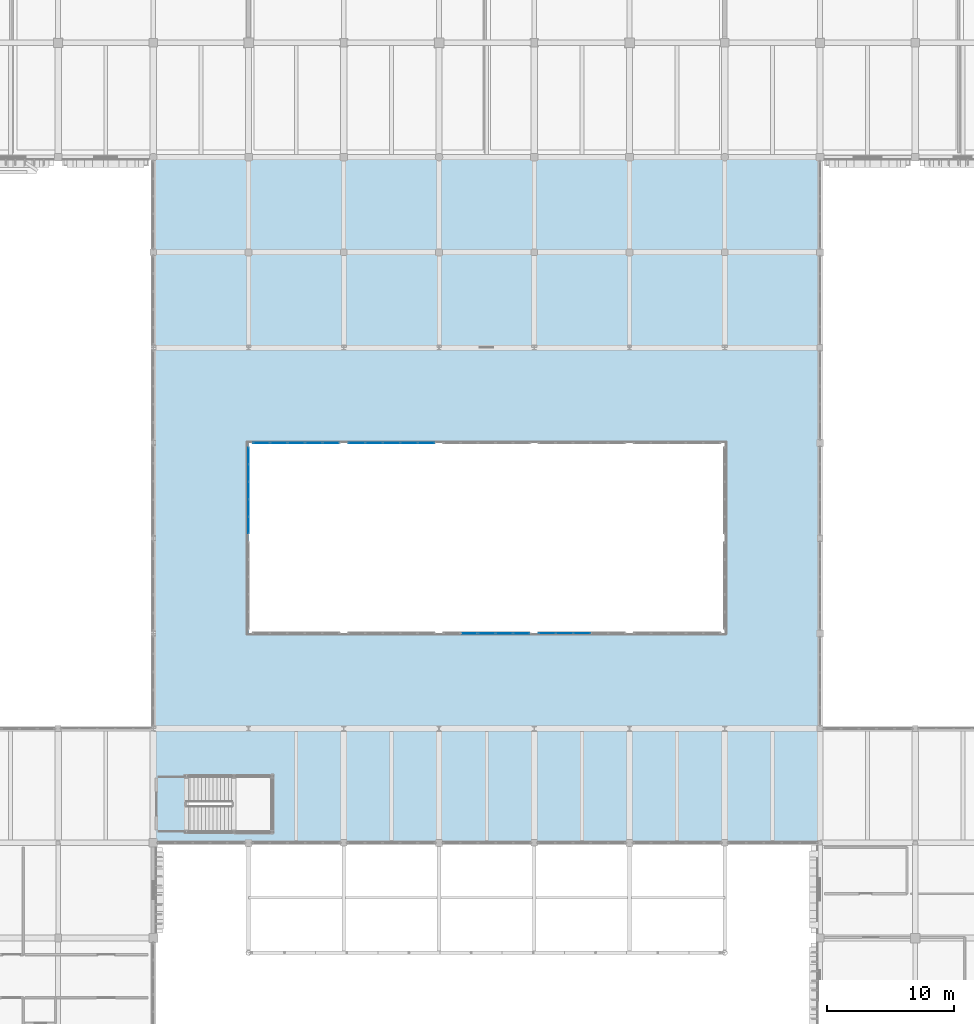
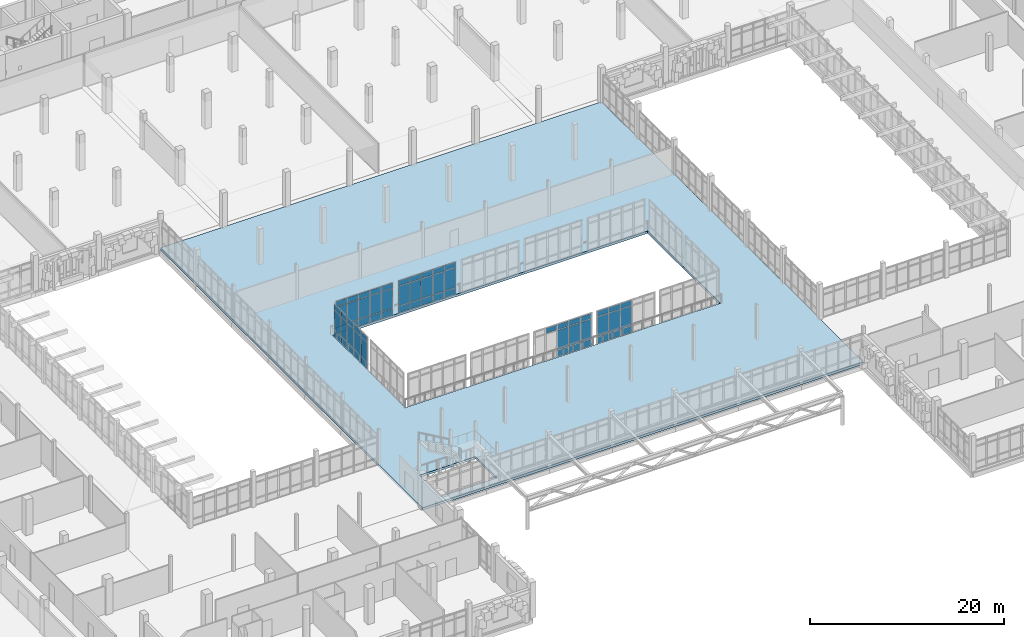
# One storey, part 78 of 128: 64 plates, 1 slab, 5 elements without a shape of their own.
"""IFC4 building model written with IfcOpenShell, lengths in metres."""

import ifcopenshell
import ifcopenshell.guid

model = None  # the IFC model being written
_history = None  # IfcOwnerHistory: only IFC2X3 demands one
_inside = {}  # id of a spatial element -> (the spatial element, [elements in it])
_under = {}  # id of a project, library or spatial element -> (it, [spatial elements below it])
_declared = {}  # id of a project -> (the project, [libraries it declares])
_typed = {}  # id of a type object -> (the type object, [elements of that type])
_made_of = {}  # id of a material, layer set ... -> (it, [elements and type objects made of it])


def new_model(schema):
    """Start an empty IFC model of exactly this schema.

    Asked for "IFC4X3", IfcOpenShell would pick the latest addendum, in which some entities
    have other attributes; the version numbers below select the first issue.
    IFC2X3 requires an IfcOwnerHistory on every rooted entity: one is made here for all.
    """
    global model, _history
    if schema == "IFC4X3":
        model = ifcopenshell.file(schema_version=(4, 3, 0, 0))
    else:
        model = ifcopenshell.file(schema=schema)
    _inside.clear()
    _under.clear()
    _declared.clear()
    _typed.clear()
    _made_of.clear()
    _history = None
    if model.schema == "IFC2X3":
        org = make("IfcOrganization", Name="unknown")
        user = make(
            "IfcPersonAndOrganization",
            ThePerson=make("IfcPerson", FamilyName="unknown"),
            TheOrganization=org,
        )
        app = make(
            "IfcApplication",
            ApplicationDeveloper=org,
            Version="unknown",
            ApplicationFullName="unknown",
            ApplicationIdentifier="unknown",
        )
        _history = make(
            "IfcOwnerHistory",
            OwningUser=user,
            OwningApplication=app,
            ChangeAction="ADDED",
            CreationDate=0,
        )
    return model


def make(cls, **values):
    """One entity of the class cls with the attributes given. An attribute that is None is left unset."""
    return model.create_entity(
        cls, **{name: value for name, value in values.items() if value is not None}
    )


def rooted(cls, **values):
    """An entity with a GlobalId (a new one), such as an element, a storey or a relation."""
    return make(cls, GlobalId=ifcopenshell.guid.new(), OwnerHistory=_history, **values)


def si_unit(unit_type, name, prefix=None):
    """IfcSIUnit, for example si_unit("LENGTHUNIT", "METRE", prefix="MILLI")."""
    return make("IfcSIUnit", UnitType=unit_type, Prefix=prefix, Name=name)


def assignment(units):
    """IfcUnitAssignment: the units of a project."""
    return None if units is None else make("IfcUnitAssignment", Units=units)


def point(xyz):
    """IfcCartesianPoint."""
    return None if xyz is None else make("IfcCartesianPoint", Coordinates=xyz)


def direction(xyz):
    """IfcDirection."""
    return None if xyz is None else make("IfcDirection", DirectionRatios=xyz)


def frame(location, z_axis=None, x_axis=None):
    """IfcAxis2Placement3D, a coordinate frame: its origin and axes. An axis left out is left unset."""
    return make(
        "IfcAxis2Placement3D",
        Location=point(location),
        Axis=direction(z_axis),
        RefDirection=direction(x_axis),
    )


def frame_2d(location, x_axis=None):
    """IfcAxis2Placement2D, a coordinate frame in the plane: its origin and x axis."""
    return make(
        "IfcAxis2Placement2D", Location=point(location), RefDirection=direction(x_axis)
    )


def origin():
    """The frame at (0, 0, 0) with its axes left unset."""
    return frame((0.0, 0.0, 0.0))


def origin_2d():
    """The frame at (0, 0) in the plane with its x axis left unset."""
    return frame_2d((0.0, 0.0))


def place(relative_to, where):
    """IfcLocalPlacement: puts the frame where relative to a parent placement (None: the world)."""
    return make(
        "IfcLocalPlacement", PlacementRelTo=relative_to, RelativePlacement=where
    )


def context(
    kind, dimensions, precision=None, world=None, true_north=None, identifier=None
):
    """IfcGeometricRepresentationContext, for example the 3D "Model" context."""
    return make(
        "IfcGeometricRepresentationContext",
        ContextIdentifier=identifier,
        ContextType=kind,
        CoordinateSpaceDimension=dimensions,
        Precision=precision,
        WorldCoordinateSystem=world,
        TrueNorth=true_north,
    )


def subcontext(parent, identifier, kind, view, scale=None):
    """IfcGeometricRepresentationSubContext, for example "Body" below "Model"."""
    return make(
        "IfcGeometricRepresentationSubContext",
        ContextIdentifier=identifier,
        ContextType=kind,
        ParentContext=parent,
        TargetScale=scale,
        TargetView=view,
    )


def project(units=None, contexts=None):
    """IfcProject with its units and contexts."""
    return rooted(
        "IfcProject",
        Name="project",
        RepresentationContexts=contexts,
        UnitsInContext=assignment(units),
    )


def spatial(cls, under=None, at=None, **own):
    """A site, building, storey or space (cls), placed at a placement, below another one or the project."""
    s = rooted(cls, ObjectPlacement=at, **own)
    if under is not None:
        _under.setdefault(under.id(), (under, []))[1].append(s)
    return s


def polyline(points):
    """IfcPolyline through the points."""
    return make("IfcPolyline", Points=[point(p) for p in points])


def profile(cls, at=None, kind="AREA", **sizes):
    """A parametric profile (cls). Its sizes go by their IFC names, for example OverallWidth=200.0."""
    return make(cls, ProfileType=kind, Position=at, **sizes)


def rectangle(**sizes):
    """IfcRectangleProfileDef."""
    return profile("IfcRectangleProfileDef", **sizes)


def outline(outer, holes=None, kind="AREA"):
    """IfcArbitraryClosedProfileDef: a profile drawn as a closed curve; with holes, ...WithVoids."""
    if holes is None:
        return make("IfcArbitraryClosedProfileDef", ProfileType=kind, OuterCurve=outer)
    return make(
        "IfcArbitraryProfileDefWithVoids",
        ProfileType=kind,
        OuterCurve=outer,
        InnerCurves=holes,
    )


def extrude(swept, where, along, depth):
    """IfcExtrudedAreaSolid: the profile swept, set in the frame where, extruded along a direction by depth."""
    return make(
        "IfcExtrudedAreaSolid",
        SweptArea=swept,
        Position=where,
        ExtrudedDirection=direction(along),
        Depth=depth,
    )


def shape(context_of_items, identifier, shape_type, items):
    """IfcShapeRepresentation: the items that make up one representation, for example the "Body"."""
    return make(
        "IfcShapeRepresentation",
        ContextOfItems=context_of_items,
        RepresentationIdentifier=identifier,
        RepresentationType=shape_type,
        Items=items,
    )


def material(Name=None, Category=None):
    """IfcMaterial."""
    return make("IfcMaterial", Name=Name, Category=Category)


def layer(
    of_material, thickness, ventilated=None, Name=None, Category=None, Priority=None
):
    """IfcMaterialLayer: one layer of a wall or slab, of a material (None: an air gap)."""
    return make(
        "IfcMaterialLayer",
        Material=of_material,
        LayerThickness=thickness,
        IsVentilated=ventilated,
        Name=Name,
        Category=Category,
        Priority=Priority,
    )


def layer_set(layers, Name=None):
    """IfcMaterialLayerSet."""
    return make("IfcMaterialLayerSet", MaterialLayers=layers, LayerSetName=Name)


def made_of(thing, what):
    """Note that an element or type object is made of a material, layer set ...; save() writes the relation."""
    if what is not None:
        _made_of.setdefault(what.id(), (what, []))[1].append(thing)
    return thing


def type_object(cls, material=None, **own):
    """A type object (cls), such as IfcWallType, which elements share."""
    return made_of(rooted(cls, **own), material)


def element(
    cls,
    number,
    at=None,
    inside=None,
    cuts=None,
    type_object=None,
    material=None,
    context=None,
    identifier="Body",
    shape_type=None,
    held_by="IfcProductDefinitionShape",
    body=None,
    shapes=None,
    **own,
):
    """One element of the class cls, such as IfcWall. Its Tag is "e" and its number.

    at: its placement. inside: the storey or other place that contains it. cuts: it is an
    opening in that element (IfcRelVoidsElement). A single representation is given by context,
    identifier, shape_type and body (its items); several are given by shapes. held_by: the class
    of the entity that holds the representations. save() writes the other relations.
    """
    e = rooted(cls, Tag="e%d" % number, ObjectPlacement=at, **own)
    if body is not None:
        shapes = [shape(context, identifier, shape_type, body)]
    if shapes is not None:
        e.Representation = make(held_by, Representations=shapes)
    if inside is not None:
        _inside.setdefault(inside.id(), (inside, []))[1].append(e)
    if cuts is not None:
        rooted(
            "IfcRelVoidsElement", RelatingBuildingElement=cuts, RelatedOpeningElement=e
        )
    if type_object is not None:
        _typed.setdefault(type_object.id(), (type_object, []))[1].append(e)
    return made_of(e, material)


def aggregate(whole, parts):
    """IfcRelAggregates: a whole, such as a stair, and the parts it consists of."""
    return rooted("IfcRelAggregates", RelatingObject=whole, RelatedObjects=parts)


def save(model, path):
    """Write the relations noted so far, then the file.

    IfcRelAggregates (storeys below a building ...), IfcRelContainedInSpatialStructure (elements
    in a storey), IfcRelDefinesByType, IfcRelAssociatesMaterial and IfcRelDeclares: one each for
    every whole, place, type object, material and project.
    """
    for whole, parts in _under.values():
        aggregate(whole, parts)
    for where, things in _inside.values():
        rooted(
            "IfcRelContainedInSpatialStructure",
            RelatedElements=things,
            RelatingStructure=where,
        )
    for kind, things in _typed.values():
        rooted("IfcRelDefinesByType", RelatedObjects=things, RelatingType=kind)
    for what, things in _made_of.values():
        rooted("IfcRelAssociatesMaterial", RelatedObjects=things, RelatingMaterial=what)
    for by, libraries in _declared.values():
        rooted("IfcRelDeclares", RelatingContext=by, RelatedDefinitions=libraries)
    model.write(path)


model = new_model("IFC4")

# Units and contexts
model_context = context("Model", 3, precision=1e-05, world=origin(), true_north=direction((0.0, 1.0)))
body_context = subcontext(model_context, "Body", "Model", "MODEL_VIEW")
ifc_project = project(units=[si_unit("LENGTHUNIT", "METRE"), si_unit("AREAUNIT", "SQUARE_METRE"), si_unit("VOLUMEUNIT", "CUBIC_METRE"), si_unit("PLANEANGLEUNIT", "RADIAN"), si_unit("MASSUNIT", "GRAM", prefix="KILO")], contexts=[model_context])

# Site, building, storey
site_placement = place(None, origin())
site = spatial("IfcSite", under=ifc_project, at=site_placement, CompositionType="ELEMENT")
building_placement = place(site_placement, origin())
building = spatial("IfcBuilding", under=site, at=building_placement, Name="Dalvernix Boulevard General Hospital", CompositionType="ELEMENT")
storey_placement = place(building_placement, frame((0.0, 0.0, 4.800048828125)))
storey = spatial("IfcBuildingStorey", under=building, at=storey_placement, Name="L01", CompositionType="ELEMENT", Elevation=4.800048828125)

# Curtain wall, plates
ifc_material_1 = material(Name="Thermally broken aluminium and solar-control glass curtain wall", Category="aluminium")
ifc_layer_1 = layer(ifc_material_1, 0.159912109375)
ifc_layer_set_1 = layer_set([ifc_layer_1], Name="Thermally broken aluminium and solar-control glass curtain wall (CW-CW-A-69x42)")
curtain_wall_type_1 = type_object("IfcCurtainWallType", Name="CW-CW-A-69x42", PredefinedType="USERDEFINED", material=ifc_layer_set_1)
curtain_wall_1_placement = place(storey_placement, origin())
curtain_wall_1 = element("IfcCurtainWall", 1, at=curtain_wall_1_placement, inside=storey, type_object=curtain_wall_type_1, Name="L01 curtain wall CW-A-69x42 10-7", ObjectType="GLAZED FACADE", PredefinedType="USERDEFINED")
ifc_material_2 = material(Name="Double-glazed solar-control low-emissivity glass", Category="glass")
ifc_layer_2 = layer(ifc_material_2, 0.02392578125)
ifc_layer_set_2 = layer_set([ifc_layer_2], Name="Double-glazed solar-control low-emissivity glass (PLT-CW-P1)")
plate_type_1 = type_object("IfcPlateType", Name="PLT-CW-P1", PredefinedType="CURTAIN_PANEL", material=ifc_layer_set_2)
plate_1_placement = place(storey_placement, frame((81.487060546875, 54.0, 0.059814453125), z_axis=(0.0, 0.0, 1.0), x_axis=(-1.0, 0.0, 0.0)))
plate_1 = element("IfcPlate", 2, at=plate_1_placement, type_object=plate_type_1, Name="CW-A-69x42 panel 1.1", PredefinedType="CURTAIN_PANEL", context=body_context, shape_type="SweptSolid", body=[
    extrude(rectangle(XDim=1.285888671875, YDim=0.02392578125, at=origin_2d()), origin(), (0.0, 0.0, 1.0), 0.81005859375),
])
plate_2_placement = place(storey_placement, frame((81.487060546875, 54.0, 0.93017578125), z_axis=(0.0, 0.0, 1.0), x_axis=(-1.0, 0.0, 0.0)))
plate_2 = element("IfcPlate", 3, at=plate_2_placement, type_object=plate_type_1, Name="CW-A-69x42 panel 1.2", PredefinedType="CURTAIN_PANEL", context=body_context, shape_type="SweptSolid", body=[
    extrude(rectangle(XDim=1.285888671875, YDim=0.02392578125, at=origin_2d()), origin(), (0.0, 0.0, 1.0), 2.469970703125),
])
plate_3_placement = place(storey_placement, frame((81.487060546875, 54.0, 3.4599609375), z_axis=(0.0, 0.0, 1.0), x_axis=(-1.0, 0.0, 0.0)))
plate_3 = element("IfcPlate", 4, at=plate_3_placement, type_object=plate_type_1, Name="CW-A-69x42 panel 1.3", PredefinedType="CURTAIN_PANEL", context=body_context, shape_type="SweptSolid", body=[
    extrude(rectangle(XDim=1.285888671875, YDim=0.02392578125, at=origin_2d()), origin(), (0.0, 0.0, 1.0), 0.659912109375),
])
plate_4_placement = place(storey_placement, frame((80.1259765625, 54.0, 0.059814453125), z_axis=(0.0, 0.0, 1.0), x_axis=(-1.0, 0.0, 0.0)))
plate_4 = element("IfcPlate", 5, at=plate_4_placement, type_object=plate_type_1, Name="CW-A-69x42 panel 2.1", PredefinedType="CURTAIN_PANEL", context=body_context, shape_type="SweptSolid", body=[
    extrude(rectangle(XDim=1.31591796875, YDim=0.02392578125, at=origin_2d()), origin(), (0.0, 0.0, 1.0), 0.81005859375),
])
plate_5_placement = place(storey_placement, frame((80.1259765625, 54.0, 0.93017578125), z_axis=(0.0, 0.0, 1.0), x_axis=(-1.0, 0.0, 0.0)))
plate_5 = element("IfcPlate", 6, at=plate_5_placement, type_object=plate_type_1, Name="CW-A-69x42 panel 2.2", PredefinedType="CURTAIN_PANEL", context=body_context, shape_type="SweptSolid", body=[
    extrude(rectangle(XDim=1.31591796875, YDim=0.02392578125, at=origin_2d()), origin(), (0.0, 0.0, 1.0), 2.469970703125),
])
plate_6_placement = place(storey_placement, frame((80.1259765625, 54.0, 3.4599609375), z_axis=(0.0, 0.0, 1.0), x_axis=(-1.0, 0.0, 0.0)))
plate_6 = element("IfcPlate", 7, at=plate_6_placement, type_object=plate_type_1, Name="CW-A-69x42 panel 2.3", PredefinedType="CURTAIN_PANEL", context=body_context, shape_type="SweptSolid", body=[
    extrude(rectangle(XDim=1.31591796875, YDim=0.02392578125, at=origin_2d()), origin(), (0.0, 0.0, 1.0), 0.659912109375),
])
plate_7_placement = place(storey_placement, frame((78.75, 54.0, 0.059814453125), z_axis=(0.0, 0.0, 1.0), x_axis=(-1.0, 0.0, 0.0)))
plate_7 = element("IfcPlate", 8, at=plate_7_placement, type_object=plate_type_1, Name="CW-A-69x42 panel 3.1", PredefinedType="CURTAIN_PANEL", context=body_context, shape_type="SweptSolid", body=[
    extrude(rectangle(XDim=1.31591796875, YDim=0.02392578125, at=origin_2d()), origin(), (0.0, 0.0, 1.0), 0.81005859375),
])
plate_8_placement = place(storey_placement, frame((78.75, 54.0, 0.93017578125), z_axis=(0.0, 0.0, 1.0), x_axis=(-1.0, 0.0, 0.0)))
plate_8 = element("IfcPlate", 9, at=plate_8_placement, type_object=plate_type_1, Name="CW-A-69x42 panel 3.2", PredefinedType="CURTAIN_PANEL", context=body_context, shape_type="SweptSolid", body=[
    extrude(rectangle(XDim=1.31591796875, YDim=0.02392578125, at=origin_2d()), origin(), (0.0, 0.0, 1.0), 2.469970703125),
])
plate_9_placement = place(storey_placement, frame((78.75, 54.0, 3.4599609375), z_axis=(0.0, 0.0, 1.0), x_axis=(-1.0, 0.0, 0.0)))
plate_9 = element("IfcPlate", 10, at=plate_9_placement, type_object=plate_type_1, Name="CW-A-69x42 panel 3.3", PredefinedType="CURTAIN_PANEL", context=body_context, shape_type="SweptSolid", body=[
    extrude(rectangle(XDim=1.31591796875, YDim=0.02392578125, at=origin_2d()), origin(), (0.0, 0.0, 1.0), 0.659912109375),
])
plate_10_placement = place(storey_placement, frame((77.3740234375, 54.0, 0.059814453125), z_axis=(0.0, 0.0, 1.0), x_axis=(-1.0, 0.0, 0.0)))
plate_10 = element("IfcPlate", 11, at=plate_10_placement, type_object=plate_type_1, Name="CW-A-69x42 panel 4.1", PredefinedType="CURTAIN_PANEL", context=body_context, shape_type="SweptSolid", body=[
    extrude(rectangle(XDim=1.31591796875, YDim=0.02392578125, at=origin_2d()), origin(), (0.0, 0.0, 1.0), 0.81005859375),
])
plate_11_placement = place(storey_placement, frame((77.3740234375, 54.0, 0.93017578125), z_axis=(0.0, 0.0, 1.0), x_axis=(-1.0, 0.0, 0.0)))
plate_11 = element("IfcPlate", 12, at=plate_11_placement, type_object=plate_type_1, Name="CW-A-69x42 panel 4.2", PredefinedType="CURTAIN_PANEL", context=body_context, shape_type="SweptSolid", body=[
    extrude(rectangle(XDim=1.31591796875, YDim=0.02392578125, at=origin_2d()), origin(), (0.0, 0.0, 1.0), 2.469970703125),
])
plate_12_placement = place(storey_placement, frame((77.3740234375, 54.0, 3.4599609375), z_axis=(0.0, 0.0, 1.0), x_axis=(-1.0, 0.0, 0.0)))
plate_12 = element("IfcPlate", 13, at=plate_12_placement, type_object=plate_type_1, Name="CW-A-69x42 panel 4.3", PredefinedType="CURTAIN_PANEL", context=body_context, shape_type="SweptSolid", body=[
    extrude(rectangle(XDim=1.31591796875, YDim=0.02392578125, at=origin_2d()), origin(), (0.0, 0.0, 1.0), 0.659912109375),
])
plate_13_placement = place(storey_placement, frame((76.012939453125, 54.0, 0.059814453125), z_axis=(0.0, 0.0, 1.0), x_axis=(-1.0, 0.0, 0.0)))
plate_13 = element("IfcPlate", 14, at=plate_13_placement, type_object=plate_type_1, Name="CW-A-69x42 panel 5.1", PredefinedType="CURTAIN_PANEL", context=body_context, shape_type="SweptSolid", body=[
    extrude(rectangle(XDim=1.285888671875, YDim=0.02392578125, at=origin_2d()), origin(), (0.0, 0.0, 1.0), 0.81005859375),
])
plate_14_placement = place(storey_placement, frame((76.012939453125, 54.0, 0.93017578125), z_axis=(0.0, 0.0, 1.0), x_axis=(-1.0, 0.0, 0.0)))
plate_14 = element("IfcPlate", 15, at=plate_14_placement, type_object=plate_type_1, Name="CW-A-69x42 panel 5.2", PredefinedType="CURTAIN_PANEL", context=body_context, shape_type="SweptSolid", body=[
    extrude(rectangle(XDim=1.285888671875, YDim=0.02392578125, at=origin_2d()), origin(), (0.0, 0.0, 1.0), 2.469970703125),
])
plate_15_placement = place(storey_placement, frame((76.012939453125, 54.0, 3.4599609375), z_axis=(0.0, 0.0, 1.0), x_axis=(-1.0, 0.0, 0.0)))
plate_15 = element("IfcPlate", 16, at=plate_15_placement, type_object=plate_type_1, Name="CW-A-69x42 panel 5.3", PredefinedType="CURTAIN_PANEL", context=body_context, shape_type="SweptSolid", body=[
    extrude(rectangle(XDim=1.285888671875, YDim=0.02392578125, at=origin_2d()), origin(), (0.0, 0.0, 1.0), 0.659912109375),
])
aggregate(curtain_wall_1, [plate_1, plate_2, plate_3, plate_4, plate_5, plate_6, plate_7, plate_8, plate_9, plate_10, plate_11, plate_12, plate_13, plate_14, plate_15])

curtain_wall_2_placement = place(storey_placement, origin())
curtain_wall_2 = element("IfcCurtainWall", 17, at=curtain_wall_2_placement, inside=storey, type_object=curtain_wall_type_1, Name="L01 curtain wall CW-A-69x42 12-5", ObjectType="GLAZED FACADE", PredefinedType="USERDEFINED")
plate_16_placement = place(storey_placement, frame((91.012939453125, 39.0, 0.059814453125), z_axis=(0.0, 0.0, 1.0), x_axis=(1.0, 0.0, 0.0)))
plate_16 = element("IfcPlate", 18, at=plate_16_placement, type_object=plate_type_1, Name="CW-A-69x42 panel 1.1", PredefinedType="CURTAIN_PANEL", context=body_context, shape_type="SweptSolid", body=[
    extrude(rectangle(XDim=1.285888671875, YDim=0.02392578125, at=origin_2d()), origin(), (0.0, 0.0, 1.0), 0.81005859375),
])
plate_17_placement = place(storey_placement, frame((91.012939453125, 39.0, 0.93017578125), z_axis=(0.0, 0.0, 1.0), x_axis=(1.0, 0.0, 0.0)))
plate_17 = element("IfcPlate", 19, at=plate_17_placement, type_object=plate_type_1, Name="CW-A-69x42 panel 1.2", PredefinedType="CURTAIN_PANEL", context=body_context, shape_type="SweptSolid", body=[
    extrude(rectangle(XDim=1.285888671875, YDim=0.02392578125, at=origin_2d()), origin(), (0.0, 0.0, 1.0), 2.469970703125),
])
plate_18_placement = place(storey_placement, frame((91.012939453125, 39.0, 3.4599609375), z_axis=(0.0, 0.0, 1.0), x_axis=(1.0, 0.0, 0.0)))
plate_18 = element("IfcPlate", 20, at=plate_18_placement, type_object=plate_type_1, Name="CW-A-69x42 panel 1.3", PredefinedType="CURTAIN_PANEL", context=body_context, shape_type="SweptSolid", body=[
    extrude(rectangle(XDim=1.285888671875, YDim=0.02392578125, at=origin_2d()), origin(), (0.0, 0.0, 1.0), 0.659912109375),
])
plate_19_placement = place(storey_placement, frame((92.3740234375, 39.0, 0.059814453125), z_axis=(0.0, 0.0, 1.0), x_axis=(1.0, 0.0, 0.0)))
plate_19 = element("IfcPlate", 21, at=plate_19_placement, type_object=plate_type_1, Name="CW-A-69x42 panel 2.1", PredefinedType="CURTAIN_PANEL", context=body_context, shape_type="SweptSolid", body=[
    extrude(rectangle(XDim=1.31591796875, YDim=0.02392578125, at=origin_2d()), origin(), (0.0, 0.0, 1.0), 0.81005859375),
])
plate_20_placement = place(storey_placement, frame((92.3740234375, 39.0, 0.93017578125), z_axis=(0.0, 0.0, 1.0), x_axis=(1.0, 0.0, 0.0)))
plate_20 = element("IfcPlate", 22, at=plate_20_placement, type_object=plate_type_1, Name="CW-A-69x42 panel 2.2", PredefinedType="CURTAIN_PANEL", context=body_context, shape_type="SweptSolid", body=[
    extrude(rectangle(XDim=1.31591796875, YDim=0.02392578125, at=origin_2d()), origin(), (0.0, 0.0, 1.0), 2.469970703125),
])
plate_21_placement = place(storey_placement, frame((92.3740234375, 39.0, 3.4599609375), z_axis=(0.0, 0.0, 1.0), x_axis=(1.0, 0.0, 0.0)))
plate_21 = element("IfcPlate", 23, at=plate_21_placement, type_object=plate_type_1, Name="CW-A-69x42 panel 2.3", PredefinedType="CURTAIN_PANEL", context=body_context, shape_type="SweptSolid", body=[
    extrude(rectangle(XDim=1.31591796875, YDim=0.02392578125, at=origin_2d()), origin(), (0.0, 0.0, 1.0), 0.659912109375),
])
plate_22_placement = place(storey_placement, frame((93.75, 39.0, 0.059814453125), z_axis=(0.0, 0.0, 1.0), x_axis=(1.0, 0.0, 0.0)))
plate_22 = element("IfcPlate", 24, at=plate_22_placement, type_object=plate_type_1, Name="CW-A-69x42 panel 3.1", PredefinedType="CURTAIN_PANEL", context=body_context, shape_type="SweptSolid", body=[
    extrude(rectangle(XDim=1.31591796875, YDim=0.02392578125, at=origin_2d()), origin(), (0.0, 0.0, 1.0), 0.81005859375),
])
plate_23_placement = place(storey_placement, frame((93.75, 39.0, 0.93017578125), z_axis=(0.0, 0.0, 1.0), x_axis=(1.0, 0.0, 0.0)))
plate_23 = element("IfcPlate", 25, at=plate_23_placement, type_object=plate_type_1, Name="CW-A-69x42 panel 3.2", PredefinedType="CURTAIN_PANEL", context=body_context, shape_type="SweptSolid", body=[
    extrude(rectangle(XDim=1.31591796875, YDim=0.02392578125, at=origin_2d()), origin(), (0.0, 0.0, 1.0), 2.469970703125),
])
plate_24_placement = place(storey_placement, frame((93.75, 39.0, 3.4599609375), z_axis=(0.0, 0.0, 1.0), x_axis=(1.0, 0.0, 0.0)))
plate_24 = element("IfcPlate", 26, at=plate_24_placement, type_object=plate_type_1, Name="CW-A-69x42 panel 3.3", PredefinedType="CURTAIN_PANEL", context=body_context, shape_type="SweptSolid", body=[
    extrude(rectangle(XDim=1.31591796875, YDim=0.02392578125, at=origin_2d()), origin(), (0.0, 0.0, 1.0), 0.659912109375),
])
aggregate(curtain_wall_2, [plate_16, plate_17, plate_18, plate_19, plate_20, plate_21, plate_22, plate_23, plate_24])

ifc_layer_3 = layer(ifc_material_1, 0.179931640625)
ifc_layer_set_3 = layer_set([ifc_layer_3], Name="Thermally broken aluminium and solar-control glass curtain wall (CW-CW-B-69x42)")
curtain_wall_type_2 = type_object("IfcCurtainWallType", Name="CW-CW-B-69x42", PredefinedType="USERDEFINED", material=ifc_layer_set_3)
curtain_wall_3_placement = place(storey_placement, origin())
curtain_wall_3 = element("IfcCurtainWall", 27, at=curtain_wall_3_placement, inside=storey, type_object=curtain_wall_type_2, Name="L01 curtain wall CW-B-69x42 9-6", ObjectType="GLAZED FACADE", PredefinedType="USERDEFINED")
ifc_layer_4 = layer(ifc_material_2, 0.028076171875)
ifc_layer_set_4 = layer_set([ifc_layer_4], Name="Double-glazed solar-control low-emissivity glass (PLT-CW-P2)")
plate_type_2 = type_object("IfcPlateType", Name="PLT-CW-P2", PredefinedType="CURTAIN_PANEL", material=ifc_layer_set_4)
plate_25_placement = place(storey_placement, frame((67.5, 52.98583984375, 0.06494140625), z_axis=(0.0, 0.0, 1.0), x_axis=(0.0, -1.0, 0.0)))
plate_25 = element("IfcPlate", 28, at=plate_25_placement, type_object=plate_type_2, Name="CW-B-69x42 panel 1.1", PredefinedType="CURTAIN_PANEL", context=body_context, shape_type="SweptSolid", body=[
    extrude(rectangle(XDim=1.278564453125, YDim=0.028076171875, at=origin_2d()), origin(), (0.0, 0.0, 1.0), 0.802490234375),
])
plate_26_placement = place(storey_placement, frame((67.5, 52.98583984375, 0.9326171875), z_axis=(0.0, 0.0, 1.0), x_axis=(0.0, -1.0, 0.0)))
plate_26 = element("IfcPlate", 29, at=plate_26_placement, type_object=plate_type_2, Name="CW-B-69x42 panel 1.2", PredefinedType="CURTAIN_PANEL", context=body_context, shape_type="SweptSolid", body=[
    extrude(rectangle(XDim=1.278564453125, YDim=0.028076171875, at=origin_2d()), origin(), (0.0, 0.0, 1.0), 2.465087890625),
])
plate_27_placement = place(storey_placement, frame((67.5, 52.98583984375, 3.46240234375), z_axis=(0.0, 0.0, 1.0), x_axis=(0.0, -1.0, 0.0)))
plate_27 = element("IfcPlate", 30, at=plate_27_placement, type_object=plate_type_2, Name="CW-B-69x42 panel 1.3", PredefinedType="CURTAIN_PANEL", context=body_context, shape_type="SweptSolid", body=[
    extrude(rectangle(XDim=1.278564453125, YDim=0.028076171875, at=origin_2d()), origin(), (0.0, 0.0, 1.0), 0.652587890625),
])
plate_28_placement = place(storey_placement, frame((67.5, 51.6259765625, 0.06494140625), z_axis=(0.0, 0.0, 1.0), x_axis=(0.0, -1.0, 0.0)))
plate_28 = element("IfcPlate", 31, at=plate_28_placement, type_object=plate_type_2, Name="CW-B-69x42 panel 2.1", PredefinedType="CURTAIN_PANEL", context=body_context, shape_type="SweptSolid", body=[
    extrude(rectangle(XDim=1.31103515625, YDim=0.028076171875, at=origin_2d()), origin(), (0.0, 0.0, 1.0), 0.802490234375),
])
plate_29_placement = place(storey_placement, frame((67.5, 51.6259765625, 0.9326171875), z_axis=(0.0, 0.0, 1.0), x_axis=(0.0, -1.0, 0.0)))
plate_29 = element("IfcPlate", 32, at=plate_29_placement, type_object=plate_type_2, Name="CW-B-69x42 panel 2.2", PredefinedType="CURTAIN_PANEL", context=body_context, shape_type="SweptSolid", body=[
    extrude(rectangle(XDim=1.31103515625, YDim=0.028076171875, at=origin_2d()), origin(), (0.0, 0.0, 1.0), 2.465087890625),
])
plate_30_placement = place(storey_placement, frame((67.5, 51.6259765625, 3.46240234375), z_axis=(0.0, 0.0, 1.0), x_axis=(0.0, -1.0, 0.0)))
plate_30 = element("IfcPlate", 33, at=plate_30_placement, type_object=plate_type_2, Name="CW-B-69x42 panel 2.3", PredefinedType="CURTAIN_PANEL", context=body_context, shape_type="SweptSolid", body=[
    extrude(rectangle(XDim=1.31103515625, YDim=0.028076171875, at=origin_2d()), origin(), (0.0, 0.0, 1.0), 0.652587890625),
])
plate_31_placement = place(storey_placement, frame((67.5, 50.25, 0.06494140625), z_axis=(0.0, 0.0, 1.0), x_axis=(0.0, -1.0, 0.0)))
plate_31 = element("IfcPlate", 34, at=plate_31_placement, type_object=plate_type_2, Name="CW-B-69x42 panel 3.1", PredefinedType="CURTAIN_PANEL", context=body_context, shape_type="SweptSolid", body=[
    extrude(rectangle(XDim=1.31103515625, YDim=0.028076171875, at=origin_2d()), origin(), (0.0, 0.0, 1.0), 0.802490234375),
])
plate_32_placement = place(storey_placement, frame((67.5, 50.25, 0.9326171875), z_axis=(0.0, 0.0, 1.0), x_axis=(0.0, -1.0, 0.0)))
plate_32 = element("IfcPlate", 35, at=plate_32_placement, type_object=plate_type_2, Name="CW-B-69x42 panel 3.2", PredefinedType="CURTAIN_PANEL", context=body_context, shape_type="SweptSolid", body=[
    extrude(rectangle(XDim=1.31103515625, YDim=0.028076171875, at=origin_2d()), origin(), (0.0, 0.0, 1.0), 2.465087890625),
])
plate_33_placement = place(storey_placement, frame((67.5, 50.25, 3.46240234375), z_axis=(0.0, 0.0, 1.0), x_axis=(0.0, -1.0, 0.0)))
plate_33 = element("IfcPlate", 36, at=plate_33_placement, type_object=plate_type_2, Name="CW-B-69x42 panel 3.3", PredefinedType="CURTAIN_PANEL", context=body_context, shape_type="SweptSolid", body=[
    extrude(rectangle(XDim=1.31103515625, YDim=0.028076171875, at=origin_2d()), origin(), (0.0, 0.0, 1.0), 0.652587890625),
])
plate_34_placement = place(storey_placement, frame((67.5, 48.8740234375, 0.06494140625), z_axis=(0.0, 0.0, 1.0), x_axis=(0.0, -1.0, 0.0)))
plate_34 = element("IfcPlate", 37, at=plate_34_placement, type_object=plate_type_2, Name="CW-B-69x42 panel 4.1", PredefinedType="CURTAIN_PANEL", context=body_context, shape_type="SweptSolid", body=[
    extrude(rectangle(XDim=1.31103515625, YDim=0.028076171875, at=origin_2d()), origin(), (0.0, 0.0, 1.0), 0.802490234375),
])
plate_35_placement = place(storey_placement, frame((67.5, 48.8740234375, 0.9326171875), z_axis=(0.0, 0.0, 1.0), x_axis=(0.0, -1.0, 0.0)))
plate_35 = element("IfcPlate", 38, at=plate_35_placement, type_object=plate_type_2, Name="CW-B-69x42 panel 4.2", PredefinedType="CURTAIN_PANEL", context=body_context, shape_type="SweptSolid", body=[
    extrude(rectangle(XDim=1.31103515625, YDim=0.028076171875, at=origin_2d()), origin(), (0.0, 0.0, 1.0), 2.465087890625),
])
plate_36_placement = place(storey_placement, frame((67.5, 48.8740234375, 3.46240234375), z_axis=(0.0, 0.0, 1.0), x_axis=(0.0, -1.0, 0.0)))
plate_36 = element("IfcPlate", 39, at=plate_36_placement, type_object=plate_type_2, Name="CW-B-69x42 panel 4.3", PredefinedType="CURTAIN_PANEL", context=body_context, shape_type="SweptSolid", body=[
    extrude(rectangle(XDim=1.31103515625, YDim=0.028076171875, at=origin_2d()), origin(), (0.0, 0.0, 1.0), 0.652587890625),
])
plate_37_placement = place(storey_placement, frame((67.5, 47.51416015625, 0.06494140625), z_axis=(0.0, 0.0, 1.0), x_axis=(0.0, -1.0, 0.0)))
plate_37 = element("IfcPlate", 40, at=plate_37_placement, type_object=plate_type_2, Name="CW-B-69x42 panel 5.1", PredefinedType="CURTAIN_PANEL", context=body_context, shape_type="SweptSolid", body=[
    extrude(rectangle(XDim=1.278564453125, YDim=0.028076171875, at=origin_2d()), origin(), (0.0, 0.0, 1.0), 0.802490234375),
])
plate_38_placement = place(storey_placement, frame((67.5, 47.51416015625, 0.9326171875), z_axis=(0.0, 0.0, 1.0), x_axis=(0.0, -1.0, 0.0)))
plate_38 = element("IfcPlate", 41, at=plate_38_placement, type_object=plate_type_2, Name="CW-B-69x42 panel 5.2", PredefinedType="CURTAIN_PANEL", context=body_context, shape_type="SweptSolid", body=[
    extrude(rectangle(XDim=1.278564453125, YDim=0.028076171875, at=origin_2d()), origin(), (0.0, 0.0, 1.0), 2.465087890625),
])
plate_39_placement = place(storey_placement, frame((67.5, 47.51416015625, 3.46240234375), z_axis=(0.0, 0.0, 1.0), x_axis=(0.0, -1.0, 0.0)))
plate_39 = element("IfcPlate", 42, at=plate_39_placement, type_object=plate_type_2, Name="CW-B-69x42 panel 5.3", PredefinedType="CURTAIN_PANEL", context=body_context, shape_type="SweptSolid", body=[
    extrude(rectangle(XDim=1.278564453125, YDim=0.028076171875, at=origin_2d()), origin(), (0.0, 0.0, 1.0), 0.652587890625),
])
aggregate(curtain_wall_3, [plate_25, plate_26, plate_27, plate_28, plate_29, plate_30, plate_31, plate_32, plate_33, plate_34, plate_35, plate_36, plate_37, plate_38, plate_39])

ifc_layer_5 = layer(ifc_material_1, 0.199951171875)
ifc_layer_set_5 = layer_set([ifc_layer_5], Name="Thermally broken aluminium and solar-control glass curtain wall (CW-CW-C-69x42)")
curtain_wall_type_3 = type_object("IfcCurtainWallType", Name="CW-CW-C-69x42", PredefinedType="USERDEFINED", material=ifc_layer_set_5)
curtain_wall_4_placement = place(storey_placement, origin())
curtain_wall_4 = element("IfcCurtainWall", 43, at=curtain_wall_4_placement, inside=storey, type_object=curtain_wall_type_3, Name="L01 curtain wall CW-C-69x42 9-7", ObjectType="GLAZED FACADE", PredefinedType="USERDEFINED")
ifc_layer_6 = layer(ifc_material_2, 0.035888671875)
ifc_layer_set_6 = layer_set([ifc_layer_6], Name="Double-glazed solar-control low-emissivity glass (PLT-CW-P3)")
plate_type_3 = type_object("IfcPlateType", Name="PLT-CW-P3", PredefinedType="CURTAIN_PANEL", material=ifc_layer_set_6)
plate_40_placement = place(storey_placement, frame((73.984619140625, 54.0, 0.070068359375), z_axis=(0.0, 0.0, 1.0), x_axis=(-1.0, 0.0, 0.0)))
plate_40 = element("IfcPlate", 44, at=plate_40_placement, type_object=plate_type_3, Name="CW-C-69x42 panel 1.1", PredefinedType="CURTAIN_PANEL", context=body_context, shape_type="SweptSolid", body=[
    extrude(rectangle(XDim=1.27099609375, YDim=0.035888671875, at=origin_2d()), origin(), (0.0, 0.0, 1.0), 0.794921875),
])
plate_41_placement = place(storey_placement, frame((73.984619140625, 54.0, 0.93505859375), z_axis=(0.0, 0.0, 1.0), x_axis=(-1.0, 0.0, 0.0)))
plate_41 = element("IfcPlate", 45, at=plate_41_placement, type_object=plate_type_3, Name="CW-C-69x42 panel 1.2", PredefinedType="CURTAIN_PANEL", context=body_context, shape_type="SweptSolid", body=[
    extrude(rectangle(XDim=1.27099609375, YDim=0.035888671875, at=origin_2d()), origin(), (0.0, 0.0, 1.0), 2.4599609375),
])
plate_42_placement = place(storey_placement, frame((73.984619140625, 54.0, 3.46484375), z_axis=(0.0, 0.0, 1.0), x_axis=(-1.0, 0.0, 0.0)))
plate_42 = element("IfcPlate", 46, at=plate_42_placement, type_object=plate_type_3, Name="CW-C-69x42 panel 1.3", PredefinedType="CURTAIN_PANEL", context=body_context, shape_type="SweptSolid", body=[
    extrude(rectangle(XDim=1.27099609375, YDim=0.035888671875, at=origin_2d()), origin(), (0.0, 0.0, 1.0), 0.64501953125),
])
plate_43_placement = place(storey_placement, frame((72.6259765625, 54.0, 0.070068359375), z_axis=(0.0, 0.0, 1.0), x_axis=(-1.0, 0.0, 0.0)))
plate_43 = element("IfcPlate", 47, at=plate_43_placement, type_object=plate_type_3, Name="CW-C-69x42 panel 2.1", PredefinedType="CURTAIN_PANEL", context=body_context, shape_type="SweptSolid", body=[
    extrude(rectangle(XDim=1.305908203125, YDim=0.035888671875, at=origin_2d()), origin(), (0.0, 0.0, 1.0), 0.794921875),
])
plate_44_placement = place(storey_placement, frame((72.6259765625, 54.0, 0.93505859375), z_axis=(0.0, 0.0, 1.0), x_axis=(-1.0, 0.0, 0.0)))
plate_44 = element("IfcPlate", 48, at=plate_44_placement, type_object=plate_type_3, Name="CW-C-69x42 panel 2.2", PredefinedType="CURTAIN_PANEL", context=body_context, shape_type="SweptSolid", body=[
    extrude(rectangle(XDim=1.305908203125, YDim=0.035888671875, at=origin_2d()), origin(), (0.0, 0.0, 1.0), 2.4599609375),
])
plate_45_placement = place(storey_placement, frame((72.6259765625, 54.0, 3.46484375), z_axis=(0.0, 0.0, 1.0), x_axis=(-1.0, 0.0, 0.0)))
plate_45 = element("IfcPlate", 49, at=plate_45_placement, type_object=plate_type_3, Name="CW-C-69x42 panel 2.3", PredefinedType="CURTAIN_PANEL", context=body_context, shape_type="SweptSolid", body=[
    extrude(rectangle(XDim=1.305908203125, YDim=0.035888671875, at=origin_2d()), origin(), (0.0, 0.0, 1.0), 0.64501953125),
])
plate_46_placement = place(storey_placement, frame((71.25, 54.0, 0.070068359375), z_axis=(0.0, 0.0, 1.0), x_axis=(-1.0, 0.0, 0.0)))
plate_46 = element("IfcPlate", 50, at=plate_46_placement, type_object=plate_type_3, Name="CW-C-69x42 panel 3.1", PredefinedType="CURTAIN_PANEL", context=body_context, shape_type="SweptSolid", body=[
    extrude(rectangle(XDim=1.305908203125, YDim=0.035888671875, at=origin_2d()), origin(), (0.0, 0.0, 1.0), 0.794921875),
])
plate_47_placement = place(storey_placement, frame((71.25, 54.0, 0.93505859375), z_axis=(0.0, 0.0, 1.0), x_axis=(-1.0, 0.0, 0.0)))
plate_47 = element("IfcPlate", 51, at=plate_47_placement, type_object=plate_type_3, Name="CW-C-69x42 panel 3.2", PredefinedType="CURTAIN_PANEL", context=body_context, shape_type="SweptSolid", body=[
    extrude(rectangle(XDim=1.305908203125, YDim=0.035888671875, at=origin_2d()), origin(), (0.0, 0.0, 1.0), 2.4599609375),
])
plate_48_placement = place(storey_placement, frame((71.25, 54.0, 3.46484375), z_axis=(0.0, 0.0, 1.0), x_axis=(-1.0, 0.0, 0.0)))
plate_48 = element("IfcPlate", 52, at=plate_48_placement, type_object=plate_type_3, Name="CW-C-69x42 panel 3.3", PredefinedType="CURTAIN_PANEL", context=body_context, shape_type="SweptSolid", body=[
    extrude(rectangle(XDim=1.305908203125, YDim=0.035888671875, at=origin_2d()), origin(), (0.0, 0.0, 1.0), 0.64501953125),
])
plate_49_placement = place(storey_placement, frame((69.8740234375, 54.0, 0.070068359375), z_axis=(0.0, 0.0, 1.0), x_axis=(-1.0, 0.0, 0.0)))
plate_49 = element("IfcPlate", 53, at=plate_49_placement, type_object=plate_type_3, Name="CW-C-69x42 panel 4.1", PredefinedType="CURTAIN_PANEL", context=body_context, shape_type="SweptSolid", body=[
    extrude(rectangle(XDim=1.305908203125, YDim=0.035888671875, at=origin_2d()), origin(), (0.0, 0.0, 1.0), 0.794921875),
])
plate_50_placement = place(storey_placement, frame((69.8740234375, 54.0, 0.93505859375), z_axis=(0.0, 0.0, 1.0), x_axis=(-1.0, 0.0, 0.0)))
plate_50 = element("IfcPlate", 54, at=plate_50_placement, type_object=plate_type_3, Name="CW-C-69x42 panel 4.2", PredefinedType="CURTAIN_PANEL", context=body_context, shape_type="SweptSolid", body=[
    extrude(rectangle(XDim=1.305908203125, YDim=0.035888671875, at=origin_2d()), origin(), (0.0, 0.0, 1.0), 2.4599609375),
])
plate_51_placement = place(storey_placement, frame((69.8740234375, 54.0, 3.46484375), z_axis=(0.0, 0.0, 1.0), x_axis=(-1.0, 0.0, 0.0)))
plate_51 = element("IfcPlate", 55, at=plate_51_placement, type_object=plate_type_3, Name="CW-C-69x42 panel 4.3", PredefinedType="CURTAIN_PANEL", context=body_context, shape_type="SweptSolid", body=[
    extrude(rectangle(XDim=1.305908203125, YDim=0.035888671875, at=origin_2d()), origin(), (0.0, 0.0, 1.0), 0.64501953125),
])
plate_52_placement = place(storey_placement, frame((68.515380859375, 54.0, 0.070068359375), z_axis=(0.0, 0.0, 1.0), x_axis=(-1.0, 0.0, 0.0)))
plate_52 = element("IfcPlate", 56, at=plate_52_placement, type_object=plate_type_3, Name="CW-C-69x42 panel 5.1", PredefinedType="CURTAIN_PANEL", context=body_context, shape_type="SweptSolid", body=[
    extrude(rectangle(XDim=1.27099609375, YDim=0.035888671875, at=origin_2d()), origin(), (0.0, 0.0, 1.0), 0.794921875),
])
plate_53_placement = place(storey_placement, frame((68.515380859375, 54.0, 0.93505859375), z_axis=(0.0, 0.0, 1.0), x_axis=(-1.0, 0.0, 0.0)))
plate_53 = element("IfcPlate", 57, at=plate_53_placement, type_object=plate_type_3, Name="CW-C-69x42 panel 5.2", PredefinedType="CURTAIN_PANEL", context=body_context, shape_type="SweptSolid", body=[
    extrude(rectangle(XDim=1.27099609375, YDim=0.035888671875, at=origin_2d()), origin(), (0.0, 0.0, 1.0), 2.4599609375),
])
plate_54_placement = place(storey_placement, frame((68.515380859375, 54.0, 3.46484375), z_axis=(0.0, 0.0, 1.0), x_axis=(-1.0, 0.0, 0.0)))
plate_54 = element("IfcPlate", 58, at=plate_54_placement, type_object=plate_type_3, Name="CW-C-69x42 panel 5.3", PredefinedType="CURTAIN_PANEL", context=body_context, shape_type="SweptSolid", body=[
    extrude(rectangle(XDim=1.27099609375, YDim=0.035888671875, at=origin_2d()), origin(), (0.0, 0.0, 1.0), 0.64501953125),
])
aggregate(curtain_wall_4, [plate_40, plate_41, plate_42, plate_43, plate_44, plate_45, plate_46, plate_47, plate_48, plate_49, plate_50, plate_51, plate_52, plate_53, plate_54])

curtain_wall_5_placement = place(storey_placement, origin())
curtain_wall_5 = element("IfcCurtainWall", 59, at=curtain_wall_5_placement, inside=storey, type_object=curtain_wall_type_3, Name="L01 curtain wall CW-C-69x42 11-5", ObjectType="GLAZED FACADE", PredefinedType="USERDEFINED")
plate_55_placement = place(storey_placement, frame((84.8740234375, 39.0, 3.46484375), z_axis=(0.0, 0.0, 1.0), x_axis=(1.0, 0.0, 0.0)))
plate_55 = element("IfcPlate", 60, at=plate_55_placement, type_object=plate_type_3, Name="CW-C-69x42 panel 2.3", PredefinedType="CURTAIN_PANEL", context=body_context, shape_type="SweptSolid", body=[
    extrude(rectangle(XDim=1.305908203125, YDim=0.035888671875, at=origin_2d()), origin(), (0.0, 0.0, 1.0), 0.64501953125),
])
plate_56_placement = place(storey_placement, frame((86.25, 39.0, 0.070068359375), z_axis=(0.0, 0.0, 1.0), x_axis=(1.0, 0.0, 0.0)))
plate_56 = element("IfcPlate", 61, at=plate_56_placement, type_object=plate_type_3, Name="CW-C-69x42 panel 3.1", PredefinedType="CURTAIN_PANEL", context=body_context, shape_type="SweptSolid", body=[
    extrude(rectangle(XDim=1.305908203125, YDim=0.035888671875, at=origin_2d()), origin(), (0.0, 0.0, 1.0), 0.794921875),
])
plate_57_placement = place(storey_placement, frame((86.25, 39.0, 0.93505859375), z_axis=(0.0, 0.0, 1.0), x_axis=(1.0, 0.0, 0.0)))
plate_57 = element("IfcPlate", 62, at=plate_57_placement, type_object=plate_type_3, Name="CW-C-69x42 panel 3.2", PredefinedType="CURTAIN_PANEL", context=body_context, shape_type="SweptSolid", body=[
    extrude(rectangle(XDim=1.305908203125, YDim=0.035888671875, at=origin_2d()), origin(), (0.0, 0.0, 1.0), 2.4599609375),
])
plate_58_placement = place(storey_placement, frame((86.25, 39.0, 3.46484375), z_axis=(0.0, 0.0, 1.0), x_axis=(1.0, 0.0, 0.0)))
plate_58 = element("IfcPlate", 63, at=plate_58_placement, type_object=plate_type_3, Name="CW-C-69x42 panel 3.3", PredefinedType="CURTAIN_PANEL", context=body_context, shape_type="SweptSolid", body=[
    extrude(rectangle(XDim=1.305908203125, YDim=0.035888671875, at=origin_2d()), origin(), (0.0, 0.0, 1.0), 0.64501953125),
])
plate_59_placement = place(storey_placement, frame((87.6259765625, 39.0, 0.070068359375), z_axis=(0.0, 0.0, 1.0), x_axis=(1.0, 0.0, 0.0)))
plate_59 = element("IfcPlate", 64, at=plate_59_placement, type_object=plate_type_3, Name="CW-C-69x42 panel 4.1", PredefinedType="CURTAIN_PANEL", context=body_context, shape_type="SweptSolid", body=[
    extrude(rectangle(XDim=1.305908203125, YDim=0.035888671875, at=origin_2d()), origin(), (0.0, 0.0, 1.0), 0.794921875),
])
plate_60_placement = place(storey_placement, frame((87.6259765625, 39.0, 0.93505859375), z_axis=(0.0, 0.0, 1.0), x_axis=(1.0, 0.0, 0.0)))
plate_60 = element("IfcPlate", 65, at=plate_60_placement, type_object=plate_type_3, Name="CW-C-69x42 panel 4.2", PredefinedType="CURTAIN_PANEL", context=body_context, shape_type="SweptSolid", body=[
    extrude(rectangle(XDim=1.305908203125, YDim=0.035888671875, at=origin_2d()), origin(), (0.0, 0.0, 1.0), 2.4599609375),
])
plate_61_placement = place(storey_placement, frame((87.6259765625, 39.0, 3.46484375), z_axis=(0.0, 0.0, 1.0), x_axis=(1.0, 0.0, 0.0)))
plate_61 = element("IfcPlate", 66, at=plate_61_placement, type_object=plate_type_3, Name="CW-C-69x42 panel 4.3", PredefinedType="CURTAIN_PANEL", context=body_context, shape_type="SweptSolid", body=[
    extrude(rectangle(XDim=1.305908203125, YDim=0.035888671875, at=origin_2d()), origin(), (0.0, 0.0, 1.0), 0.64501953125),
])
plate_62_placement = place(storey_placement, frame((88.984619140625, 39.0, 0.070068359375), z_axis=(0.0, 0.0, 1.0), x_axis=(1.0, 0.0, 0.0)))
plate_62 = element("IfcPlate", 67, at=plate_62_placement, type_object=plate_type_3, Name="CW-C-69x42 panel 5.1", PredefinedType="CURTAIN_PANEL", context=body_context, shape_type="SweptSolid", body=[
    extrude(rectangle(XDim=1.27099609375, YDim=0.035888671875, at=origin_2d()), origin(), (0.0, 0.0, 1.0), 0.794921875),
])
plate_63_placement = place(storey_placement, frame((88.984619140625, 39.0, 0.93505859375), z_axis=(0.0, 0.0, 1.0), x_axis=(1.0, 0.0, 0.0)))
plate_63 = element("IfcPlate", 68, at=plate_63_placement, type_object=plate_type_3, Name="CW-C-69x42 panel 5.2", PredefinedType="CURTAIN_PANEL", context=body_context, shape_type="SweptSolid", body=[
    extrude(rectangle(XDim=1.27099609375, YDim=0.035888671875, at=origin_2d()), origin(), (0.0, 0.0, 1.0), 2.4599609375),
])
plate_64_placement = place(storey_placement, frame((88.984619140625, 39.0, 3.46484375), z_axis=(0.0, 0.0, 1.0), x_axis=(1.0, 0.0, 0.0)))
plate_64 = element("IfcPlate", 69, at=plate_64_placement, type_object=plate_type_3, Name="CW-C-69x42 panel 5.3", PredefinedType="CURTAIN_PANEL", context=body_context, shape_type="SweptSolid", body=[
    extrude(rectangle(XDim=1.27099609375, YDim=0.035888671875, at=origin_2d()), origin(), (0.0, 0.0, 1.0), 0.64501953125),
])
aggregate(curtain_wall_5, [plate_55, plate_56, plate_57, plate_58, plate_59, plate_60, plate_61, plate_62, plate_63, plate_64])

# Slab
ifc_material_3 = material(Name="Concrete C35/45", Category="concrete")
ifc_layer_7 = layer(ifc_material_3, 0.300048828125)
ifc_layer_set_7 = layer_set([ifc_layer_7], Name="Concrete C35/45 (SLB-FS-03)")
slab_type = type_object("IfcSlabType", Name="SLB-FS-03", PredefinedType="FLOOR", material=ifc_layer_set_7)
slab_placement = place(storey_placement, frame((0.0, 0.0, -0.300048828125)))
element("IfcSlab", 70, at=slab_placement, inside=storey, type_object=slab_type, Name="L01 V1 structural floor slab 1", PredefinedType="FLOOR", context=body_context, shape_type="SweptSolid", body=[
    extrude(outline(polyline([(60.0, 61.5), (60.0, 69.0), (60.0, 76.5), (67.5, 76.5), (75.0, 76.5), (82.5, 76.5), (90.0, 76.5), (97.5, 76.5), (105.0, 76.5), (112.5, 76.5), (112.5, 69.0), (112.5, 61.5), (112.5, 54.0), (112.5, 46.5), (112.5, 39.0), (112.5, 31.5), (112.5, 22.5), (105.0, 22.5), (97.5, 22.5), (90.0, 22.5), (82.5, 22.5), (75.0, 22.5), (67.5, 22.5), (60.0, 22.5), (60.0, 31.5), (60.0, 39.0), (60.0, 46.5), (60.0, 54.0), (60.0, 61.5)]), holes=[polyline([(75.0, 54.0), (67.5, 54.0), (67.5, 46.5), (67.5, 39.0), (75.0, 39.0), (82.5, 39.0), (90.0, 39.0), (97.5, 39.0), (105.0, 39.0), (105.0, 46.5), (105.0, 54.0), (97.5, 54.0), (90.0, 54.0), (82.5, 54.0), (75.0, 54.0)]), polyline([(69.35009765625, 27.75), (62.659912109375, 27.75), (62.659912109375, 23.35009765625), (69.35009765625, 23.35009765625), (69.35009765625, 27.75)])]), origin(), (0.0, 0.0, 1.0), 0.300048828125),
])

save(model, "model.ifc")
